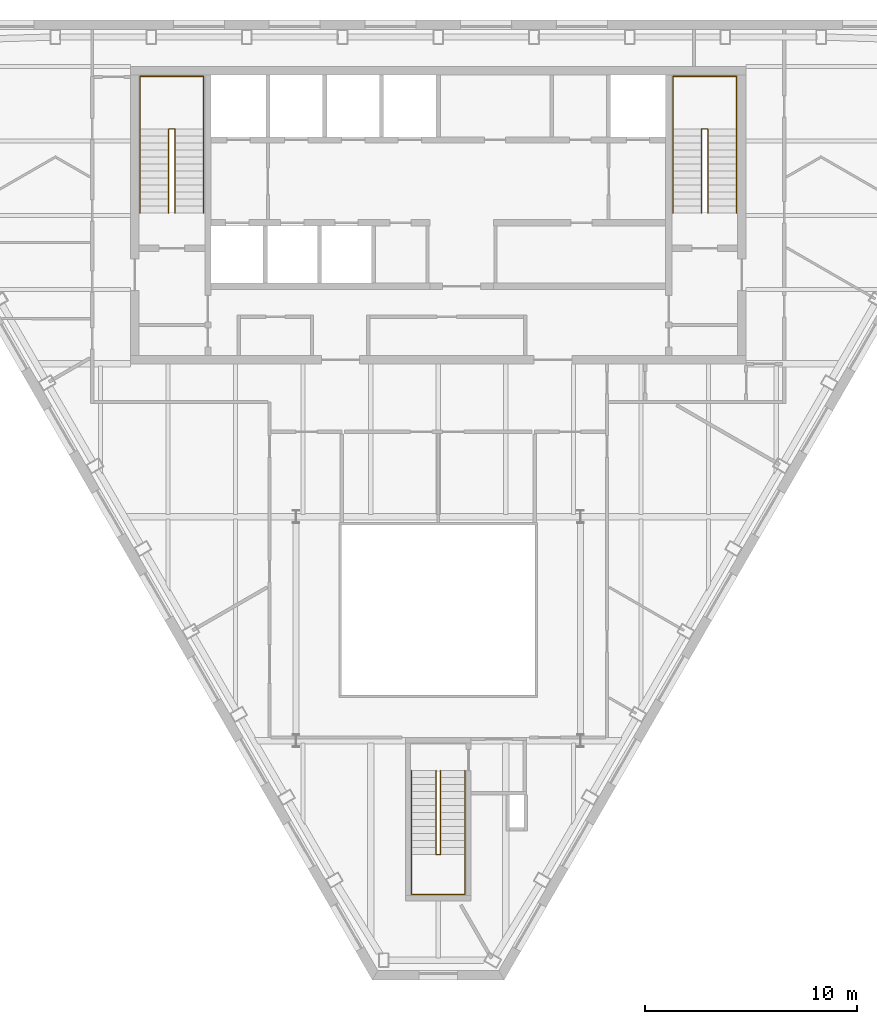
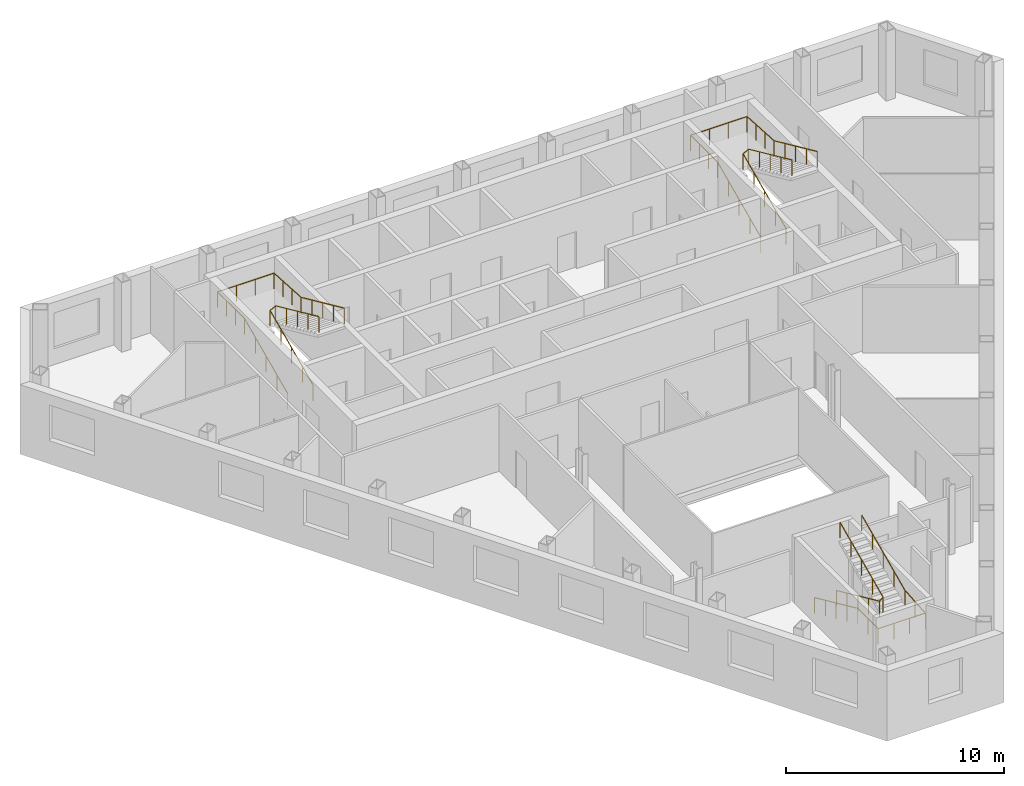
# One storey, part 10 of 10: 6 railings.
"""IFC4 building model written with IfcOpenShell, lengths in metres."""

from ifc_helpers import new_model, si_unit, direction, frame, origin, origin_2d, place, context, subcontext, project, spatial, circle, extrude, material, type_object, element, save


model = new_model("IFC4")

# Units and contexts
model_context = context("Model", 3, precision=1e-05, world=origin(), true_north=direction((0.0, 1.0)))
body_context = subcontext(model_context, "Body", "Model", "MODEL_VIEW")
ifc_project = project(units=[si_unit("LENGTHUNIT", "METRE"), si_unit("AREAUNIT", "SQUARE_METRE"), si_unit("VOLUMEUNIT", "CUBIC_METRE"), si_unit("PLANEANGLEUNIT", "RADIAN"), si_unit("MASSUNIT", "GRAM", prefix="KILO")], contexts=[model_context])

# Site, building, storey
site_placement = place(None, origin())
site = spatial("IfcSite", under=ifc_project, at=site_placement, CompositionType="ELEMENT")
building_placement = place(site_placement, origin())
building = spatial("IfcBuilding", under=site, at=building_placement, Name="Njiva Tower", CompositionType="ELEMENT")
storey_placement = place(building_placement, frame((0.0, 0.0, 249.3)))
storey = spatial("IfcBuildingStorey", under=building, at=storey_placement, Name="L56", CompositionType="ELEMENT", Elevation=249.3)

# Railings
ifc_material = material(Name="Stainless steel", Category="steel")
railing_type = type_object("IfcRailingType", Name="RL1 Stair handrail 900", PredefinedType="HANDRAIL", material=ifc_material)
railing_1_placement = place(storey_placement, frame((-14.05, 11.1, 0.15)))
element("IfcRailing", 1, at=railing_1_placement, inside=storey, type_object=railing_type, Name="Stair A handrail", PredefinedType="HANDRAIL", context=body_context, shape_type="SweptSolid", body=[
    extrude(circle(Radius=0.024, at=origin_2d()), frame((0.0, 0.0, 0.876), z_axis=(0.0, 0.910366477463, 0.413802944301), x_axis=(-1.0, 0.0, 0.0)), (0.0, 0.0, 1.0), 4.3499),
    extrude(circle(Radius=0.024, at=origin_2d()), frame((0.0, 3.96, 2.676), z_axis=(0.0, 1.0, 0.0), x_axis=(-1.0, 0.0, 0.0)), (0.0, 0.0, 1.0), 2.49),
    extrude(circle(Radius=0.024, at=origin_2d()), frame((0.0, 6.45, 2.676), z_axis=(1.0, 0.0, 0.0), x_axis=(0.0, 1.0, 0.0)), (0.0, 0.0, 1.0), 3.0),
    extrude(circle(Radius=0.024, at=origin_2d()), frame((3.0, 6.45, 2.676), z_axis=(0.0, -0.998190436793, 0.060131954024), x_axis=(1.0, 0.0, 0.0)), (0.0, 0.0, 1.0), 2.4945),
    extrude(circle(Radius=0.024, at=origin_2d()), frame((3.0, 3.96, 2.826), z_axis=(0.0, -0.910366477463, 0.413802944301), x_axis=(1.0, 0.0, 0.0)), (0.0, 0.0, 1.0), 4.3499),
    extrude(circle(Radius=0.021, at=origin_2d()), origin(), (0.0, 0.0, 1.0), 0.852),
    extrude(circle(Radius=0.021, at=origin_2d()), frame((0.0, 0.99, 0.45)), (0.0, 0.0, 1.0), 0.852),
    extrude(circle(Radius=0.021, at=origin_2d()), frame((0.0, 1.98, 0.9)), (0.0, 0.0, 1.0), 0.852),
    extrude(circle(Radius=0.021, at=origin_2d()), frame((0.0, 2.97, 1.35)), (0.0, 0.0, 1.0), 0.852),
    extrude(circle(Radius=0.021, at=origin_2d()), frame((0.0, 3.96, 1.8)), (0.0, 0.0, 1.0), 0.852),
    extrude(circle(Radius=0.021, at=origin_2d()), frame((0.0, 4.79, 1.8)), (0.0, 0.0, 1.0), 0.852),
    extrude(circle(Radius=0.021, at=origin_2d()), frame((0.0, 5.62, 1.8)), (0.0, 0.0, 1.0), 0.852),
    extrude(circle(Radius=0.021, at=origin_2d()), frame((0.0, 6.45, 1.8)), (0.0, 0.0, 1.0), 0.852),
    extrude(circle(Radius=0.021, at=origin_2d()), frame((1.0, 6.45, 1.8)), (0.0, 0.0, 1.0), 0.852),
    extrude(circle(Radius=0.021, at=origin_2d()), frame((2.0, 6.45, 1.8)), (0.0, 0.0, 1.0), 0.852),
    extrude(circle(Radius=0.021, at=origin_2d()), frame((3.0, 6.45, 1.8)), (0.0, 0.0, 1.0), 0.852),
    extrude(circle(Radius=0.021, at=origin_2d()), frame((3.0, 5.62, 1.85)), (0.0, 0.0, 1.0), 0.852),
    extrude(circle(Radius=0.021, at=origin_2d()), frame((3.0, 4.79, 1.9)), (0.0, 0.0, 1.0), 0.852),
    extrude(circle(Radius=0.021, at=origin_2d()), frame((3.0, 3.96, 1.95)), (0.0, 0.0, 1.0), 0.852),
    extrude(circle(Radius=0.021, at=origin_2d()), frame((3.0, 2.97, 2.4)), (0.0, 0.0, 1.0), 0.852),
    extrude(circle(Radius=0.021, at=origin_2d()), frame((3.0, 1.98, 2.85)), (0.0, 0.0, 1.0), 0.852),
    extrude(circle(Radius=0.021, at=origin_2d()), frame((3.0, 0.99, 3.3)), (0.0, 0.0, 1.0), 0.852),
    extrude(circle(Radius=0.021, at=origin_2d()), frame((3.0, 0.0, 3.75)), (0.0, 0.0, 1.0), 0.852),
])
railing_2_placement = place(storey_placement, frame((-12.7, 11.1, 0.15)))
element("IfcRailing", 2, at=railing_2_placement, inside=storey, type_object=railing_type, Name="Stair A handrail", PredefinedType="HANDRAIL", context=body_context, shape_type="SweptSolid", body=[
    extrude(circle(Radius=0.024, at=origin_2d()), frame((0.0, 0.0, 0.876), z_axis=(0.0, 0.910366477463, 0.413802944301), x_axis=(-1.0, 0.0, 0.0)), (0.0, 0.0, 1.0), 4.3499),
    extrude(circle(Radius=0.024, at=origin_2d()), frame((0.0, 3.96, 2.676), z_axis=(0.894427191, 0.0, 0.4472135955), x_axis=(0.0, 1.0, 0.0)), (0.0, 0.0, 1.0), 0.3354),
    extrude(circle(Radius=0.024, at=origin_2d()), frame((0.3, 3.96, 2.826), z_axis=(0.0, -0.910366477463, 0.413802944301), x_axis=(1.0, 0.0, 0.0)), (0.0, 0.0, 1.0), 4.3499),
    extrude(circle(Radius=0.021, at=origin_2d()), origin(), (0.0, 0.0, 1.0), 0.852),
    extrude(circle(Radius=0.021, at=origin_2d()), frame((0.0, 0.99, 0.45)), (0.0, 0.0, 1.0), 0.852),
    extrude(circle(Radius=0.021, at=origin_2d()), frame((0.0, 1.98, 0.9)), (0.0, 0.0, 1.0), 0.852),
    extrude(circle(Radius=0.021, at=origin_2d()), frame((0.0, 2.97, 1.35)), (0.0, 0.0, 1.0), 0.852),
    extrude(circle(Radius=0.021, at=origin_2d()), frame((0.0, 3.96, 1.8)), (0.0, 0.0, 1.0), 0.852),
    extrude(circle(Radius=0.021, at=origin_2d()), frame((0.3, 3.96, 1.95)), (0.0, 0.0, 1.0), 0.852),
    extrude(circle(Radius=0.021, at=origin_2d()), frame((0.3, 2.97, 2.4)), (0.0, 0.0, 1.0), 0.852),
    extrude(circle(Radius=0.021, at=origin_2d()), frame((0.3, 1.98, 2.85)), (0.0, 0.0, 1.0), 0.852),
    extrude(circle(Radius=0.021, at=origin_2d()), frame((0.3, 0.99, 3.3)), (0.0, 0.0, 1.0), 0.852),
    extrude(circle(Radius=0.021, at=origin_2d()), frame((0.3, 0.0, 3.75)), (0.0, 0.0, 1.0), 0.852),
])
railing_3_placement = place(storey_placement, frame((11.05, 11.1, 0.15)))
element("IfcRailing", 3, at=railing_3_placement, inside=storey, type_object=railing_type, Name="Stair B handrail", PredefinedType="HANDRAIL", context=body_context, shape_type="SweptSolid", body=[
    extrude(circle(Radius=0.024, at=origin_2d()), frame((0.0, 0.0, 0.876), z_axis=(0.0, 0.910366477463, 0.413802944301), x_axis=(-1.0, 0.0, 0.0)), (0.0, 0.0, 1.0), 4.3499),
    extrude(circle(Radius=0.024, at=origin_2d()), frame((0.0, 3.96, 2.676), z_axis=(0.0, 1.0, 0.0), x_axis=(-1.0, 0.0, 0.0)), (0.0, 0.0, 1.0), 2.49),
    extrude(circle(Radius=0.024, at=origin_2d()), frame((0.0, 6.45, 2.676), z_axis=(1.0, 0.0, 0.0), x_axis=(0.0, 1.0, 0.0)), (0.0, 0.0, 1.0), 3.0),
    extrude(circle(Radius=0.024, at=origin_2d()), frame((3.0, 6.45, 2.676), z_axis=(0.0, -0.998190436793, 0.060131954024), x_axis=(1.0, 0.0, 0.0)), (0.0, 0.0, 1.0), 2.4945),
    extrude(circle(Radius=0.024, at=origin_2d()), frame((3.0, 3.96, 2.826), z_axis=(0.0, -0.910366477463, 0.413802944301), x_axis=(1.0, 0.0, 0.0)), (0.0, 0.0, 1.0), 4.3499),
    extrude(circle(Radius=0.021, at=origin_2d()), origin(), (0.0, 0.0, 1.0), 0.852),
    extrude(circle(Radius=0.021, at=origin_2d()), frame((0.0, 0.99, 0.45)), (0.0, 0.0, 1.0), 0.852),
    extrude(circle(Radius=0.021, at=origin_2d()), frame((0.0, 1.98, 0.9)), (0.0, 0.0, 1.0), 0.852),
    extrude(circle(Radius=0.021, at=origin_2d()), frame((0.0, 2.97, 1.35)), (0.0, 0.0, 1.0), 0.852),
    extrude(circle(Radius=0.021, at=origin_2d()), frame((0.0, 3.96, 1.8)), (0.0, 0.0, 1.0), 0.852),
    extrude(circle(Radius=0.021, at=origin_2d()), frame((0.0, 4.79, 1.8)), (0.0, 0.0, 1.0), 0.852),
    extrude(circle(Radius=0.021, at=origin_2d()), frame((0.0, 5.62, 1.8)), (0.0, 0.0, 1.0), 0.852),
    extrude(circle(Radius=0.021, at=origin_2d()), frame((0.0, 6.45, 1.8)), (0.0, 0.0, 1.0), 0.852),
    extrude(circle(Radius=0.021, at=origin_2d()), frame((1.0, 6.45, 1.8)), (0.0, 0.0, 1.0), 0.852),
    extrude(circle(Radius=0.021, at=origin_2d()), frame((2.0, 6.45, 1.8)), (0.0, 0.0, 1.0), 0.852),
    extrude(circle(Radius=0.021, at=origin_2d()), frame((3.0, 6.45, 1.8)), (0.0, 0.0, 1.0), 0.852),
    extrude(circle(Radius=0.021, at=origin_2d()), frame((3.0, 5.62, 1.85)), (0.0, 0.0, 1.0), 0.852),
    extrude(circle(Radius=0.021, at=origin_2d()), frame((3.0, 4.79, 1.9)), (0.0, 0.0, 1.0), 0.852),
    extrude(circle(Radius=0.021, at=origin_2d()), frame((3.0, 3.96, 1.95)), (0.0, 0.0, 1.0), 0.852),
    extrude(circle(Radius=0.021, at=origin_2d()), frame((3.0, 2.97, 2.4)), (0.0, 0.0, 1.0), 0.852),
    extrude(circle(Radius=0.021, at=origin_2d()), frame((3.0, 1.98, 2.85)), (0.0, 0.0, 1.0), 0.852),
    extrude(circle(Radius=0.021, at=origin_2d()), frame((3.0, 0.99, 3.3)), (0.0, 0.0, 1.0), 0.852),
    extrude(circle(Radius=0.021, at=origin_2d()), frame((3.0, 0.0, 3.75)), (0.0, 0.0, 1.0), 0.852),
])
railing_4_placement = place(storey_placement, frame((12.4, 11.1, 0.15)))
element("IfcRailing", 4, at=railing_4_placement, inside=storey, type_object=railing_type, Name="Stair B handrail", PredefinedType="HANDRAIL", context=body_context, shape_type="SweptSolid", body=[
    extrude(circle(Radius=0.024, at=origin_2d()), frame((0.0, 0.0, 0.876), z_axis=(0.0, 0.910366477463, 0.413802944301), x_axis=(-1.0, 0.0, 0.0)), (0.0, 0.0, 1.0), 4.3499),
    extrude(circle(Radius=0.024, at=origin_2d()), frame((0.0, 3.96, 2.676), z_axis=(0.894427191, 0.0, 0.4472135955), x_axis=(0.0, 1.0, 0.0)), (0.0, 0.0, 1.0), 0.3354),
    extrude(circle(Radius=0.024, at=origin_2d()), frame((0.3, 3.96, 2.826), z_axis=(0.0, -0.910366477463, 0.413802944301), x_axis=(1.0, 0.0, 0.0)), (0.0, 0.0, 1.0), 4.3499),
    extrude(circle(Radius=0.021, at=origin_2d()), origin(), (0.0, 0.0, 1.0), 0.852),
    extrude(circle(Radius=0.021, at=origin_2d()), frame((0.0, 0.99, 0.45)), (0.0, 0.0, 1.0), 0.852),
    extrude(circle(Radius=0.021, at=origin_2d()), frame((0.0, 1.98, 0.9)), (0.0, 0.0, 1.0), 0.852),
    extrude(circle(Radius=0.021, at=origin_2d()), frame((0.0, 2.97, 1.35)), (0.0, 0.0, 1.0), 0.852),
    extrude(circle(Radius=0.021, at=origin_2d()), frame((0.0, 3.96, 1.8)), (0.0, 0.0, 1.0), 0.852),
    extrude(circle(Radius=0.021, at=origin_2d()), frame((0.3, 3.96, 1.95)), (0.0, 0.0, 1.0), 0.852),
    extrude(circle(Radius=0.021, at=origin_2d()), frame((0.3, 2.97, 2.4)), (0.0, 0.0, 1.0), 0.852),
    extrude(circle(Radius=0.021, at=origin_2d()), frame((0.3, 1.98, 2.85)), (0.0, 0.0, 1.0), 0.852),
    extrude(circle(Radius=0.021, at=origin_2d()), frame((0.3, 0.99, 3.3)), (0.0, 0.0, 1.0), 0.852),
    extrude(circle(Radius=0.021, at=origin_2d()), frame((0.3, 0.0, 3.75)), (0.0, 0.0, 1.0), 0.852),
])
railing_5_placement = place(storey_placement, frame((-1.25, -15.16, 0.15)))
element("IfcRailing", 5, at=railing_5_placement, inside=storey, type_object=railing_type, Name="Stair C handrail", PredefinedType="HANDRAIL", context=body_context, shape_type="SweptSolid", body=[
    extrude(circle(Radius=0.024, at=origin_2d()), frame((0.0, 0.0, 0.876), z_axis=(0.0, -0.910366477463, 0.413802944301), x_axis=(1.0, 0.0, 0.0)), (0.0, 0.0, 1.0), 4.3499),
    extrude(circle(Radius=0.024, at=origin_2d()), frame((0.0, -3.96, 2.676), z_axis=(0.0, -1.0, 0.0), x_axis=(1.0, 0.0, 0.0)), (0.0, 0.0, 1.0), 1.88),
    extrude(circle(Radius=0.024, at=origin_2d()), frame((0.0, -5.84, 2.676), z_axis=(1.0, 0.0, 0.0), x_axis=(0.0, 1.0, 0.0)), (0.0, 0.0, 1.0), 2.5),
    extrude(circle(Radius=0.024, at=origin_2d()), frame((2.5, -5.84, 2.676), z_axis=(0.0, 0.996832115713, 0.079534477318), x_axis=(-1.0, 0.0, 0.0)), (0.0, 0.0, 1.0), 1.886),
    extrude(circle(Radius=0.024, at=origin_2d()), frame((2.5, -3.96, 2.826), z_axis=(0.0, 0.910366477463, 0.413802944301), x_axis=(-1.0, 0.0, 0.0)), (0.0, 0.0, 1.0), 4.3499),
    extrude(circle(Radius=0.021, at=origin_2d()), origin(), (0.0, 0.0, 1.0), 0.852),
    extrude(circle(Radius=0.021, at=origin_2d()), frame((0.0, -0.99, 0.45)), (0.0, 0.0, 1.0), 0.852),
    extrude(circle(Radius=0.021, at=origin_2d()), frame((0.0, -1.98, 0.9)), (0.0, 0.0, 1.0), 0.852),
    extrude(circle(Radius=0.021, at=origin_2d()), frame((0.0, -2.97, 1.35)), (0.0, 0.0, 1.0), 0.852),
    extrude(circle(Radius=0.021, at=origin_2d()), frame((0.0, -3.96, 1.8)), (0.0, 0.0, 1.0), 0.852),
    extrude(circle(Radius=0.021, at=origin_2d()), frame((0.0, -4.9, 1.8)), (0.0, 0.0, 1.0), 0.852),
    extrude(circle(Radius=0.021, at=origin_2d()), frame((0.0, -5.84, 1.8)), (0.0, 0.0, 1.0), 0.852),
    extrude(circle(Radius=0.021, at=origin_2d()), frame((0.8333, -5.84, 1.8)), (0.0, 0.0, 1.0), 0.852),
    extrude(circle(Radius=0.021, at=origin_2d()), frame((1.6667, -5.84, 1.8)), (0.0, 0.0, 1.0), 0.852),
    extrude(circle(Radius=0.021, at=origin_2d()), frame((2.5, -5.84, 1.8)), (0.0, 0.0, 1.0), 0.852),
    extrude(circle(Radius=0.021, at=origin_2d()), frame((2.5, -4.9, 1.875)), (0.0, 0.0, 1.0), 0.852),
    extrude(circle(Radius=0.021, at=origin_2d()), frame((2.5, -3.96, 1.95)), (0.0, 0.0, 1.0), 0.852),
    extrude(circle(Radius=0.021, at=origin_2d()), frame((2.5, -2.97, 2.4)), (0.0, 0.0, 1.0), 0.852),
    extrude(circle(Radius=0.021, at=origin_2d()), frame((2.5, -1.98, 2.85)), (0.0, 0.0, 1.0), 0.852),
    extrude(circle(Radius=0.021, at=origin_2d()), frame((2.5, -0.99, 3.3)), (0.0, 0.0, 1.0), 0.852),
    extrude(circle(Radius=0.021, at=origin_2d()), frame((2.5, 0.0, 3.75)), (0.0, 0.0, 1.0), 0.852),
])
railing_6_placement = place(storey_placement, frame((-0.1, -15.16, 0.15)))
element("IfcRailing", 6, at=railing_6_placement, inside=storey, type_object=railing_type, Name="Stair C handrail", PredefinedType="HANDRAIL", context=body_context, shape_type="SweptSolid", body=[
    extrude(circle(Radius=0.024, at=origin_2d()), frame((0.0, 0.0, 0.876), z_axis=(0.0, -0.910366477463, 0.413802944301), x_axis=(1.0, 0.0, 0.0)), (0.0, 0.0, 1.0), 4.3499),
    extrude(circle(Radius=0.024, at=origin_2d()), frame((0.0, -3.96, 2.676), z_axis=(0.8, 0.0, 0.6), x_axis=(0.0, 1.0, 0.0)), (0.0, 0.0, 1.0), 0.25),
    extrude(circle(Radius=0.024, at=origin_2d()), frame((0.2, -3.96, 2.826), z_axis=(0.0, 0.910366477463, 0.413802944301), x_axis=(-1.0, 0.0, 0.0)), (0.0, 0.0, 1.0), 4.3499),
    extrude(circle(Radius=0.021, at=origin_2d()), origin(), (0.0, 0.0, 1.0), 0.852),
    extrude(circle(Radius=0.021, at=origin_2d()), frame((0.0, -0.99, 0.45)), (0.0, 0.0, 1.0), 0.852),
    extrude(circle(Radius=0.021, at=origin_2d()), frame((0.0, -1.98, 0.9)), (0.0, 0.0, 1.0), 0.852),
    extrude(circle(Radius=0.021, at=origin_2d()), frame((0.0, -2.97, 1.35)), (0.0, 0.0, 1.0), 0.852),
    extrude(circle(Radius=0.021, at=origin_2d()), frame((0.0, -3.96, 1.8)), (0.0, 0.0, 1.0), 0.852),
    extrude(circle(Radius=0.021, at=origin_2d()), frame((0.2, -3.96, 1.95)), (0.0, 0.0, 1.0), 0.852),
    extrude(circle(Radius=0.021, at=origin_2d()), frame((0.2, -2.97, 2.4)), (0.0, 0.0, 1.0), 0.852),
    extrude(circle(Radius=0.021, at=origin_2d()), frame((0.2, -1.98, 2.85)), (0.0, 0.0, 1.0), 0.852),
    extrude(circle(Radius=0.021, at=origin_2d()), frame((0.2, -0.99, 3.3)), (0.0, 0.0, 1.0), 0.852),
    extrude(circle(Radius=0.021, at=origin_2d()), frame((0.2, 0.0, 3.75)), (0.0, 0.0, 1.0), 0.852),
])

save(model, "model.ifc")
